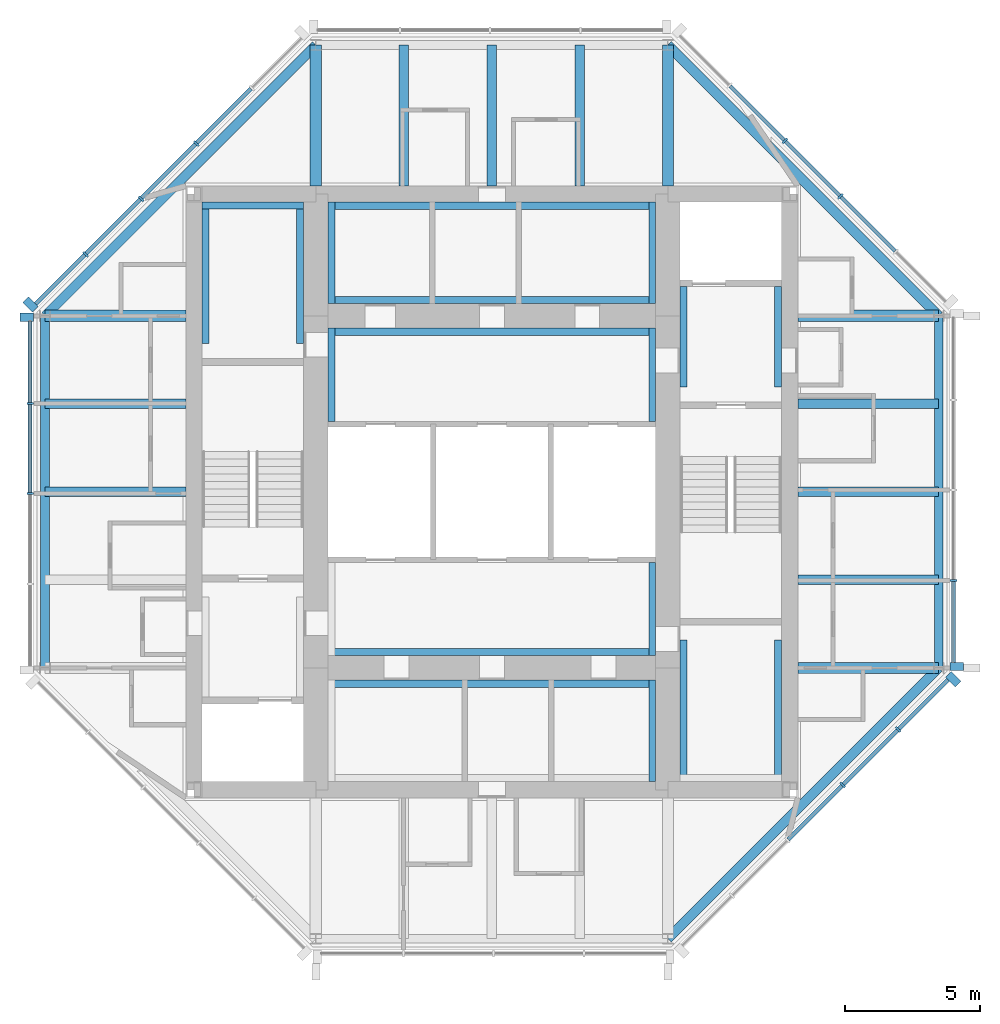
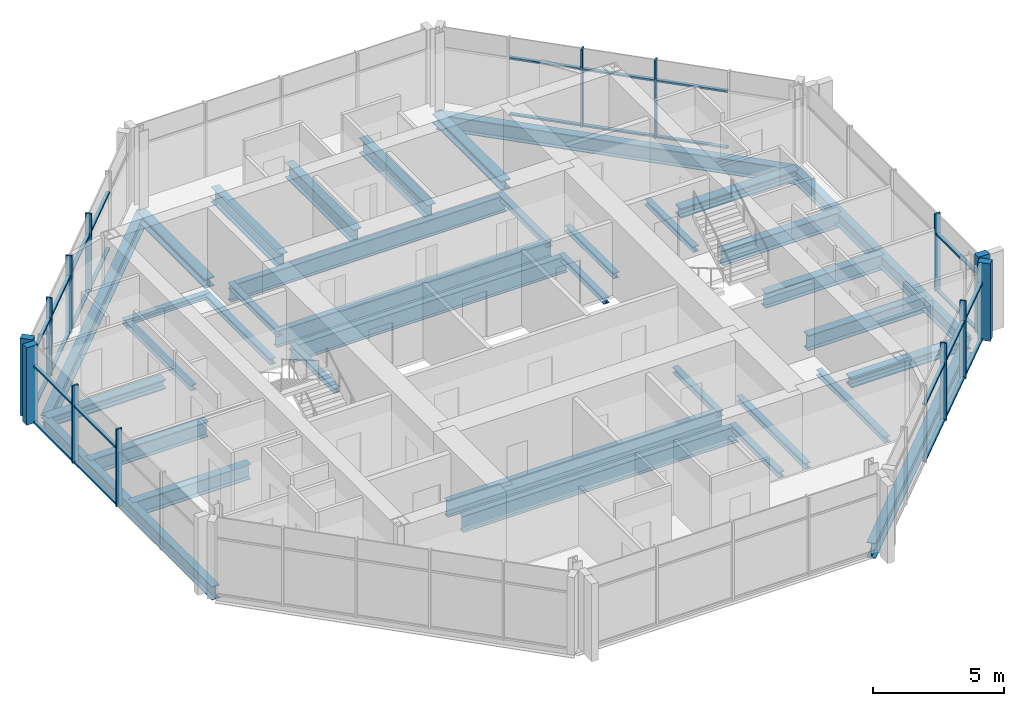
# One storey, part 2 of 9: 40 members, 36 beams, 5 elements without a shape of their own.
"""IFC4 building model written with IfcOpenShell, lengths in metres."""

from ifc_helpers import new_model, si_unit, direction, frame, origin, origin_2d, place, context, subcontext, project, spatial, rectangle, i_section, extrude, material, material_profile, profile_set, type_object, element, aggregate, save


model = new_model("IFC4")

# Units and contexts
model_context = context("Model", 3, precision=1e-05, world=origin(), true_north=direction((0.0, 1.0)))
body_context = subcontext(model_context, "Body", "Model", "MODEL_VIEW")
ifc_project = project(units=[si_unit("LENGTHUNIT", "METRE"), si_unit("AREAUNIT", "SQUARE_METRE"), si_unit("VOLUMEUNIT", "CUBIC_METRE"), si_unit("PLANEANGLEUNIT", "RADIAN"), si_unit("MASSUNIT", "GRAM", prefix="KILO")], contexts=[model_context])

# Site, building, storey
site_placement = place(None, origin())
site = spatial("IfcSite", under=ifc_project, at=site_placement, CompositionType="ELEMENT")
building_placement = place(site_placement, origin())
building = spatial("IfcBuilding", under=site, at=building_placement, Name="Trevanion Tower", CompositionType="ELEMENT")
storey_placement = place(building_placement, frame((0.0, 0.0, 288.39990234375)))
storey = spatial("IfcBuildingStorey", under=building, at=storey_placement, Name="L71", CompositionType="ELEMENT", Elevation=288.39990234375)

# Beams
ifc_material_1 = material(Name="Steel ASTM A992 Grade 50", Category="steel")
ifc_material_profile_1 = material_profile(ifc_material_1, i_section(OverallWidth=0.355712890625, OverallDepth=0.700927734375, WebThickness=0.016845703125, FlangeThickness=0.02734375, at=origin_2d()), Name="W27X161")
ifc_profile_set_1 = profile_set([ifc_material_profile_1], Name="Steel ASTM A992 Grade 50")
beam_type_1 = type_object("IfcBeamType", Name="B15 W27X161", PredefinedType="BEAM", material=ifc_profile_set_1)
for number, where, z_axis, x_axis, name in (
    (1, (11.300048828125, -3.25, -0.540283203125), (1.0, 0.0, 0.0), (0.0, 1.0, 0.0), "B15 L71"),
    (2, (11.300048828125, 0.0, -0.540283203125), (1.0, 0.0, 0.0), (0.0, 1.0, 0.0), "B15 L71"),
    (3, (11.300048828125, 3.25, -0.540283203125), (1.0, 0.0, 0.0), (0.0, 1.0, 0.0), "B15 L71"),
    (4, (3.25, 11.300048828125, -0.540283203125), (0.0, 1.0, 0.0), (-1.0, 0.0, 0.0), "B15 L71"),
    (5, (0.0, 11.300048828125, -0.540283203125), (0.0, 1.0, 0.0), (-1.0, 0.0, 0.0), "B15 L71"),
    (6, (-3.25, 11.300048828125, -0.540283203125), (0.0, 1.0, 0.0), (-1.0, 0.0, 0.0), "B15 L71"),
    (7, (-11.300048828125, 3.25, -0.540283203125), (-1.0, 0.0, 0.0), (0.0, -1.0, 0.0), "B15 L71"),
    (8, (-11.300048828125, 0.0, -0.540283203125), (-1.0, 0.0, 0.0), (0.0, -1.0, 0.0), "B15 L71"),
):
    element("IfcBeam", number, at=place(storey_placement, frame(where, z_axis=z_axis, x_axis=x_axis)), inside=storey, type_object=beam_type_1, Name=name, PredefinedType="BEAM", context=body_context, shape_type="SweptSolid", body=[
        extrude(i_section(OverallWidth=0.355712890625, OverallDepth=0.700927734375, WebThickness=0.016845703125, FlangeThickness=0.02734375, at=origin_2d()), origin(), (0.0, 0.0, 1.0), 5.199951171875),
    ])

# Curtain wall, member
ifc_material_2 = material(Name="Aluminium and glass", Category="aluminium")
curtain_wall_type = type_object("IfcCurtainWallType", Name="CW4 curtain wall", PredefinedType="USERDEFINED", material=ifc_material_2)
curtain_wall_1_placement = place(storey_placement, origin())
curtain_wall_1 = element("IfcCurtainWall", 9, at=curtain_wall_1_placement, inside=storey, type_object=curtain_wall_type, Name="CW4 L71 0", ObjectType="UNITISED CURTAIN WALL", PredefinedType="USERDEFINED")
ifc_material_3 = material(Name="Aluminium extrusion, anodised bronze", Category="aluminium")
ifc_material_profile_2 = material_profile(ifc_material_3, rectangle(XDim=0.074951171875, YDim=0.25, at=origin_2d()), Name="CW4 mullion")
ifc_profile_set_2 = profile_set([ifc_material_profile_2], Name="Aluminium extrusion, anodised bronze")
member_type_1 = type_object("IfcMemberType", Name="CW4 mullion", PredefinedType="MULLION", material=ifc_profile_set_2)
member_1_placement = place(storey_placement, frame((17.050048828125, -3.266357421875, -0.18994140625), z_axis=(0.0, 0.0, 1.0), x_axis=(0.0, 1.0, 0.0)))
member_1 = element("IfcMember", 10, at=member_1_placement, type_object=member_type_1, Name="CW4 mullion 2", PredefinedType="MULLION", context=body_context, shape_type="SweptSolid", body=[
    extrude(rectangle(XDim=0.074951171875, YDim=0.25, at=origin_2d()), origin(), (0.0, 0.0, 1.0), 3.60009765625),
])

# Curtain wall, members
curtain_wall_2_placement = place(storey_placement, origin())
curtain_wall_2 = element("IfcCurtainWall", 11, at=curtain_wall_2_placement, inside=storey, type_object=curtain_wall_type, Name="CW4 L71 1", ObjectType="UNITISED CURTAIN WALL", PredefinedType="USERDEFINED")
member_2_placement = place(storey_placement, frame((12.865966796875, 10.911865234375, -0.18994140625), z_axis=(0.0, 0.0, 1.0), x_axis=(-0.707106781187, 0.707106781187, 0.0)))
member_2 = element("IfcMember", 12, at=member_2_placement, type_object=member_type_1, Name="CW4 mullion 3", PredefinedType="MULLION", context=body_context, shape_type="SweptSolid", body=[
    extrude(rectangle(XDim=0.074951171875, YDim=0.25, at=origin_2d()), origin(), (0.0, 0.0, 1.0), 3.60009765625),
])
member_3_placement = place(storey_placement, frame((10.81982421875, 12.9580078125, -0.18994140625), z_axis=(0.0, 0.0, 1.0), x_axis=(-0.707106781187, 0.707106781187, 0.0)))
member_3 = element("IfcMember", 13, at=member_3_placement, type_object=member_type_1, Name="CW4 mullion 4", PredefinedType="MULLION", context=body_context, shape_type="SweptSolid", body=[
    extrude(rectangle(XDim=0.074951171875, YDim=0.25, at=origin_2d()), origin(), (0.0, 0.0, 1.0), 3.60009765625),
])

curtain_wall_3_placement = place(storey_placement, origin())
curtain_wall_3 = element("IfcCurtainWall", 14, at=curtain_wall_3_placement, inside=storey, type_object=curtain_wall_type, Name="CW4 L71 3", ObjectType="UNITISED CURTAIN WALL", PredefinedType="USERDEFINED")
member_4_placement = place(storey_placement, frame((-10.911865234375, 12.865966796875, -0.18994140625), z_axis=(0.0, 0.0, 1.0), x_axis=(-0.707106781187, -0.707106781187, 0.0)))
member_4 = element("IfcMember", 15, at=member_4_placement, type_object=member_type_1, Name="CW4 mullion 3", PredefinedType="MULLION", context=body_context, shape_type="SweptSolid", body=[
    extrude(rectangle(XDim=0.074951171875, YDim=0.25, at=origin_2d()), origin(), (0.0, 0.0, 1.0), 3.60009765625),
])
member_5_placement = place(storey_placement, frame((-12.9580078125, 10.81982421875, -0.18994140625), z_axis=(0.0, 0.0, 1.0), x_axis=(-0.707106781187, -0.707106781187, 0.0)))
member_5 = element("IfcMember", 16, at=member_5_placement, type_object=member_type_1, Name="CW4 mullion 4", PredefinedType="MULLION", context=body_context, shape_type="SweptSolid", body=[
    extrude(rectangle(XDim=0.074951171875, YDim=0.25, at=origin_2d()), origin(), (0.0, 0.0, 1.0), 3.60009765625),
])
member_6_placement = place(storey_placement, frame((-15.00390625, 8.77392578125, -0.18994140625), z_axis=(0.0, 0.0, 1.0), x_axis=(-0.707106781187, -0.707106781187, 0.0)))
member_6 = element("IfcMember", 17, at=member_6_placement, type_object=member_type_1, Name="CW4 mullion 5", PredefinedType="MULLION", context=body_context, shape_type="SweptSolid", body=[
    extrude(rectangle(XDim=0.074951171875, YDim=0.25, at=origin_2d()), origin(), (0.0, 0.0, 1.0), 3.60009765625),
])

curtain_wall_4_placement = place(storey_placement, origin())
curtain_wall_4 = element("IfcCurtainWall", 18, at=curtain_wall_4_placement, inside=storey, type_object=curtain_wall_type, Name="CW4 L71 4", ObjectType="UNITISED CURTAIN WALL", PredefinedType="USERDEFINED")
member_7_placement = place(storey_placement, frame((-17.050048828125, 3.266357421875, -0.18994140625), z_axis=(0.0, 0.0, 1.0), x_axis=(0.0, -1.0, 0.0)))
member_7 = element("IfcMember", 19, at=member_7_placement, type_object=member_type_1, Name="CW4 mullion 2", PredefinedType="MULLION", context=body_context, shape_type="SweptSolid", body=[
    extrude(rectangle(XDim=0.074951171875, YDim=0.25, at=origin_2d()), origin(), (0.0, 0.0, 1.0), 3.60009765625),
])
member_8_placement = place(storey_placement, frame((-17.050048828125, -0.06494140625, -0.18994140625), z_axis=(0.0, 0.0, 1.0), x_axis=(0.0, -1.0, 0.0)))
member_8 = element("IfcMember", 20, at=member_8_placement, type_object=member_type_1, Name="CW4 mullion 3", PredefinedType="MULLION", context=body_context, shape_type="SweptSolid", body=[
    extrude(rectangle(XDim=0.074951171875, YDim=0.25, at=origin_2d()), origin(), (0.0, 0.0, 1.0), 3.60009765625),
])

curtain_wall_5_placement = place(storey_placement, origin())
curtain_wall_5 = element("IfcCurtainWall", 21, at=curtain_wall_5_placement, inside=storey, type_object=curtain_wall_type, Name="CW4 L71 7", ObjectType="UNITISED CURTAIN WALL", PredefinedType="USERDEFINED")
member_9_placement = place(storey_placement, frame((12.9580078125, -10.81982421875, -0.18994140625), z_axis=(0.0, 0.0, 1.0), x_axis=(0.707106781187, 0.707106781187, 0.0)))
member_9 = element("IfcMember", 22, at=member_9_placement, type_object=member_type_1, Name="CW4 mullion 4", PredefinedType="MULLION", context=body_context, shape_type="SweptSolid", body=[
    extrude(rectangle(XDim=0.074951171875, YDim=0.25, at=origin_2d()), origin(), (0.0, 0.0, 1.0), 3.60009765625),
])
member_10_placement = place(storey_placement, frame((15.00390625, -8.77392578125, -0.18994140625), z_axis=(0.0, 0.0, 1.0), x_axis=(0.707106781187, 0.707106781187, 0.0)))
member_10 = element("IfcMember", 23, at=member_10_placement, type_object=member_type_1, Name="CW4 mullion 5", PredefinedType="MULLION", context=body_context, shape_type="SweptSolid", body=[
    extrude(rectangle(XDim=0.074951171875, YDim=0.25, at=origin_2d()), origin(), (0.0, 0.0, 1.0), 3.60009765625),
])

# Member
ifc_material_4 = material(Name="Aluminium extrusion, anodised bronze", Category="aluminium")
ifc_material_profile_3 = material_profile(ifc_material_4, rectangle(XDim=0.300048828125, YDim=0.5, at=origin_2d()), Name="CW4 pier mullion")
ifc_profile_set_3 = profile_set([ifc_material_profile_3], Name="Aluminium extrusion, anodised bronze")
member_type_2 = type_object("IfcMemberType", Name="CW4 pier mullion", PredefinedType="MULLION", material=ifc_profile_set_3)
member_11_placement = place(storey_placement, frame((17.175048828125, -6.44775390625, -0.18994140625), z_axis=(0.0, 0.0, 1.0), x_axis=(0.0, 1.0, 0.0)))
member_11 = element("IfcMember", 24, at=member_11_placement, type_object=member_type_2, Name="CW4 pier mullion 1", PredefinedType="MULLION", context=body_context, shape_type="SweptSolid", body=[
    extrude(rectangle(XDim=0.300048828125, YDim=0.5, at=origin_2d()), origin(), (0.0, 0.0, 1.0), 3.60009765625),
])

member_12_placement = place(storey_placement, frame((-17.0322265625, 6.92236328125, -0.18994140625), z_axis=(0.0, 0.0, 1.0), x_axis=(-0.707106781187, -0.707106781187, 0.0)))
member_12 = element("IfcMember", 25, at=member_12_placement, type_object=member_type_2, Name="CW4 pier mullion 6", PredefinedType="MULLION", context=body_context, shape_type="SweptSolid", body=[
    extrude(rectangle(XDim=0.300048828125, YDim=0.5, at=origin_2d()), origin(), (0.0, 0.0, 1.0), 3.60009765625),
])

member_13_placement = place(storey_placement, frame((-17.175048828125, 6.44775390625, -0.18994140625), z_axis=(0.0, 0.0, 1.0), x_axis=(0.0, -1.0, 0.0)))
member_13 = element("IfcMember", 26, at=member_13_placement, type_object=member_type_2, Name="CW4 pier mullion 1", PredefinedType="MULLION", context=body_context, shape_type="SweptSolid", body=[
    extrude(rectangle(XDim=0.300048828125, YDim=0.5, at=origin_2d()), origin(), (0.0, 0.0, 1.0), 3.60009765625),
])

member_14_placement = place(storey_placement, frame((17.0322265625, -6.92236328125, -0.18994140625), z_axis=(0.0, 0.0, 1.0), x_axis=(0.707106781187, 0.707106781187, 0.0)))
member_14 = element("IfcMember", 27, at=member_14_placement, type_object=member_type_2, Name="CW4 pier mullion 6", PredefinedType="MULLION", context=body_context, shape_type="SweptSolid", body=[
    extrude(rectangle(XDim=0.300048828125, YDim=0.5, at=origin_2d()), origin(), (0.0, 0.0, 1.0), 3.60009765625),
])

ifc_material_5 = material(Name="Aluminium extrusion, anodised bronze", Category="aluminium")
ifc_material_profile_4 = material_profile(ifc_material_5, rectangle(XDim=0.14990234375, YDim=0.074951171875, at=origin_2d()), Name="CW4 transom")
ifc_profile_set_4 = profile_set([ifc_material_profile_4], Name="Aluminium extrusion, anodised bronze")
member_type_3 = type_object("IfcMemberType", Name="CW4 transom", PredefinedType="USERDEFINED", material=ifc_profile_set_4)
member_15_placement = place(storey_placement, frame((17.050048828125, -6.2978515625, -0.15234375), z_axis=(0.0, 1.0, 0.0), x_axis=(-1.0, 0.0, 0.0)))
member_15 = element("IfcMember", 28, at=member_15_placement, type_object=member_type_3, Name="CW4 transom 1.1", ObjectType="TRANSOM", PredefinedType="USERDEFINED", context=body_context, shape_type="SweptSolid", body=[
    extrude(rectangle(XDim=0.14990234375, YDim=0.074951171875, at=origin_2d()), origin(), (0.0, 0.0, 1.0), 2.993896484375),
])

member_16_placement = place(storey_placement, frame((17.050048828125, -6.2978515625, 2.460205078125), z_axis=(0.0, 1.0, 0.0), x_axis=(-1.0, 0.0, 0.0)))
member_16 = element("IfcMember", 29, at=member_16_placement, type_object=member_type_3, Name="CW4 transom 1.2", ObjectType="TRANSOM", PredefinedType="USERDEFINED", context=body_context, shape_type="SweptSolid", body=[
    extrude(rectangle(XDim=0.14990234375, YDim=0.074951171875, at=origin_2d()), origin(), (0.0, 0.0, 1.0), 2.993896484375),
])

aggregate(curtain_wall_1, [member_11, member_1, member_15, member_16])

member_17_placement = place(storey_placement, frame((14.885498046875, 8.892333984375, -0.15234375), z_axis=(-0.707106781187, 0.707106781187, 0.0), x_axis=(-0.707106781187, -0.707106781187, 0.0)))
member_17 = element("IfcMember", 30, at=member_17_placement, type_object=member_type_3, Name="CW4 transom 2.1", ObjectType="TRANSOM", PredefinedType="USERDEFINED", context=body_context, shape_type="SweptSolid", body=[
    extrude(rectangle(XDim=0.14990234375, YDim=0.074951171875, at=origin_2d()), origin(), (0.0, 0.0, 1.0), 2.818359375),
])

member_18_placement = place(storey_placement, frame((14.885498046875, 8.892333984375, 2.460205078125), z_axis=(-0.707106781187, 0.707106781187, 0.0), x_axis=(-0.707106781187, -0.707106781187, 0.0)))
member_18 = element("IfcMember", 31, at=member_18_placement, type_object=member_type_3, Name="CW4 transom 2.2", ObjectType="TRANSOM", PredefinedType="USERDEFINED", context=body_context, shape_type="SweptSolid", body=[
    extrude(rectangle(XDim=0.14990234375, YDim=0.074951171875, at=origin_2d()), origin(), (0.0, 0.0, 1.0), 2.818359375),
])

member_19_placement = place(storey_placement, frame((12.839599609375, 10.9384765625, -0.15234375), z_axis=(-0.707150088905, 0.707063470815, 0.0), x_axis=(-0.707063470815, -0.707150088905, 0.0)))
member_19 = element("IfcMember", 32, at=member_19_placement, type_object=member_type_3, Name="CW4 transom 3.1", ObjectType="TRANSOM", PredefinedType="USERDEFINED", context=body_context, shape_type="SweptSolid", body=[
    extrude(rectangle(XDim=0.14990234375, YDim=0.074951171875, at=origin_2d()), origin(), (0.0, 0.0, 1.0), 2.818603515625),
])

member_20_placement = place(storey_placement, frame((12.839599609375, 10.9384765625, 2.460205078125), z_axis=(-0.707150088905, 0.707063470815, 0.0), x_axis=(-0.707063470815, -0.707150088905, 0.0)))
member_20 = element("IfcMember", 33, at=member_20_placement, type_object=member_type_3, Name="CW4 transom 3.2", ObjectType="TRANSOM", PredefinedType="USERDEFINED", context=body_context, shape_type="SweptSolid", body=[
    extrude(rectangle(XDim=0.14990234375, YDim=0.074951171875, at=origin_2d()), origin(), (0.0, 0.0, 1.0), 2.818603515625),
])

member_21_placement = place(storey_placement, frame((10.79345703125, 12.984375, -0.15234375), z_axis=(-0.707150088905, 0.707063470815, 0.0), x_axis=(-0.707063470815, -0.707150088905, 0.0)))
member_21 = element("IfcMember", 34, at=member_21_placement, type_object=member_type_3, Name="CW4 transom 4.1", ObjectType="TRANSOM", PredefinedType="USERDEFINED", context=body_context, shape_type="SweptSolid", body=[
    extrude(rectangle(XDim=0.14990234375, YDim=0.074951171875, at=origin_2d()), origin(), (0.0, 0.0, 1.0), 2.818603515625),
])

member_22_placement = place(storey_placement, frame((10.79345703125, 12.984375, 2.460205078125), z_axis=(-0.707150088905, 0.707063470815, 0.0), x_axis=(-0.707063470815, -0.707150088905, 0.0)))
member_22 = element("IfcMember", 35, at=member_22_placement, type_object=member_type_3, Name="CW4 transom 4.2", ObjectType="TRANSOM", PredefinedType="USERDEFINED", context=body_context, shape_type="SweptSolid", body=[
    extrude(rectangle(XDim=0.14990234375, YDim=0.074951171875, at=origin_2d()), origin(), (0.0, 0.0, 1.0), 2.818603515625),
])

aggregate(curtain_wall_2, [member_2, member_3, member_17, member_18, member_19, member_20, member_21, member_22])

member_23_placement = place(storey_placement, frame((-8.892333984375, 14.885498046875, -0.15234375), z_axis=(-0.707106781187, -0.707106781187, 0.0), x_axis=(0.707106781187, -0.707106781187, 0.0)))
member_23 = element("IfcMember", 36, at=member_23_placement, type_object=member_type_3, Name="CW4 transom 2.1", ObjectType="TRANSOM", PredefinedType="USERDEFINED", context=body_context, shape_type="SweptSolid", body=[
    extrude(rectangle(XDim=0.14990234375, YDim=0.074951171875, at=origin_2d()), origin(), (0.0, 0.0, 1.0), 2.818359375),
])

member_24_placement = place(storey_placement, frame((-8.892333984375, 14.885498046875, 2.460205078125), z_axis=(-0.707106781187, -0.707106781187, 0.0), x_axis=(0.707106781187, -0.707106781187, 0.0)))
member_24 = element("IfcMember", 37, at=member_24_placement, type_object=member_type_3, Name="CW4 transom 2.2", ObjectType="TRANSOM", PredefinedType="USERDEFINED", context=body_context, shape_type="SweptSolid", body=[
    extrude(rectangle(XDim=0.14990234375, YDim=0.074951171875, at=origin_2d()), origin(), (0.0, 0.0, 1.0), 2.818359375),
])

member_25_placement = place(storey_placement, frame((-10.9384765625, 12.839599609375, -0.15234375), z_axis=(-0.707063470815, -0.707150088905, 0.0), x_axis=(0.707150088905, -0.707063470815, 0.0)))
member_25 = element("IfcMember", 38, at=member_25_placement, type_object=member_type_3, Name="CW4 transom 3.1", ObjectType="TRANSOM", PredefinedType="USERDEFINED", context=body_context, shape_type="SweptSolid", body=[
    extrude(rectangle(XDim=0.14990234375, YDim=0.074951171875, at=origin_2d()), origin(), (0.0, 0.0, 1.0), 2.818603515625),
])

member_26_placement = place(storey_placement, frame((-10.9384765625, 12.839599609375, 2.460205078125), z_axis=(-0.707063470815, -0.707150088905, 0.0), x_axis=(0.707150088905, -0.707063470815, 0.0)))
member_26 = element("IfcMember", 39, at=member_26_placement, type_object=member_type_3, Name="CW4 transom 3.2", ObjectType="TRANSOM", PredefinedType="USERDEFINED", context=body_context, shape_type="SweptSolid", body=[
    extrude(rectangle(XDim=0.14990234375, YDim=0.074951171875, at=origin_2d()), origin(), (0.0, 0.0, 1.0), 2.818603515625),
])

member_27_placement = place(storey_placement, frame((-12.984375, 10.79345703125, -0.15234375), z_axis=(-0.707063470815, -0.707150088905, 0.0), x_axis=(0.707150088905, -0.707063470815, 0.0)))
member_27 = element("IfcMember", 40, at=member_27_placement, type_object=member_type_3, Name="CW4 transom 4.1", ObjectType="TRANSOM", PredefinedType="USERDEFINED", context=body_context, shape_type="SweptSolid", body=[
    extrude(rectangle(XDim=0.14990234375, YDim=0.074951171875, at=origin_2d()), origin(), (0.0, 0.0, 1.0), 2.818603515625),
])

member_28_placement = place(storey_placement, frame((-12.984375, 10.79345703125, 2.460205078125), z_axis=(-0.707063470815, -0.707150088905, 0.0), x_axis=(0.707150088905, -0.707063470815, 0.0)))
member_28 = element("IfcMember", 41, at=member_28_placement, type_object=member_type_3, Name="CW4 transom 4.2", ObjectType="TRANSOM", PredefinedType="USERDEFINED", context=body_context, shape_type="SweptSolid", body=[
    extrude(rectangle(XDim=0.14990234375, YDim=0.074951171875, at=origin_2d()), origin(), (0.0, 0.0, 1.0), 2.818603515625),
])

member_29_placement = place(storey_placement, frame((-15.030517578125, 8.747314453125, -0.15234375), z_axis=(-0.707106781187, -0.707106781187, 0.0), x_axis=(0.707106781187, -0.707106781187, 0.0)))
member_29 = element("IfcMember", 42, at=member_29_placement, type_object=member_type_3, Name="CW4 transom 5.1", ObjectType="TRANSOM", PredefinedType="USERDEFINED", context=body_context, shape_type="SweptSolid", body=[
    extrude(rectangle(XDim=0.14990234375, YDim=0.074951171875, at=origin_2d()), origin(), (0.0, 0.0, 1.0), 2.555908203125),
])

member_30_placement = place(storey_placement, frame((-15.030517578125, 8.747314453125, 2.460205078125), z_axis=(-0.707106781187, -0.707106781187, 0.0), x_axis=(0.707106781187, -0.707106781187, 0.0)))
member_30 = element("IfcMember", 43, at=member_30_placement, type_object=member_type_3, Name="CW4 transom 5.2", ObjectType="TRANSOM", PredefinedType="USERDEFINED", context=body_context, shape_type="SweptSolid", body=[
    extrude(rectangle(XDim=0.14990234375, YDim=0.074951171875, at=origin_2d()), origin(), (0.0, 0.0, 1.0), 2.555908203125),
])

aggregate(curtain_wall_3, [member_4, member_5, member_6, member_12, member_23, member_24, member_25, member_26, member_27, member_28, member_29, member_30])

member_31_placement = place(storey_placement, frame((-17.050048828125, 6.2978515625, -0.15234375), z_axis=(0.0, -1.0, 0.0), x_axis=(1.0, 0.0, 0.0)))
member_31 = element("IfcMember", 44, at=member_31_placement, type_object=member_type_3, Name="CW4 transom 1.1", ObjectType="TRANSOM", PredefinedType="USERDEFINED", context=body_context, shape_type="SweptSolid", body=[
    extrude(rectangle(XDim=0.14990234375, YDim=0.074951171875, at=origin_2d()), origin(), (0.0, 0.0, 1.0), 2.993896484375),
])

member_32_placement = place(storey_placement, frame((-17.050048828125, 6.2978515625, 2.460205078125), z_axis=(0.0, -1.0, 0.0), x_axis=(1.0, 0.0, 0.0)))
member_32 = element("IfcMember", 45, at=member_32_placement, type_object=member_type_3, Name="CW4 transom 1.2", ObjectType="TRANSOM", PredefinedType="USERDEFINED", context=body_context, shape_type="SweptSolid", body=[
    extrude(rectangle(XDim=0.14990234375, YDim=0.074951171875, at=origin_2d()), origin(), (0.0, 0.0, 1.0), 2.993896484375),
])

member_33_placement = place(storey_placement, frame((-17.050048828125, 3.22900390625, -0.15234375), z_axis=(0.0, -1.0, 0.0), x_axis=(1.0, 0.0, 0.0)))
member_33 = element("IfcMember", 46, at=member_33_placement, type_object=member_type_3, Name="CW4 transom 2.1", ObjectType="TRANSOM", PredefinedType="USERDEFINED", context=body_context, shape_type="SweptSolid", body=[
    extrude(rectangle(XDim=0.14990234375, YDim=0.074951171875, at=origin_2d()), origin(), (0.0, 0.0, 1.0), 3.256591796875),
])

member_34_placement = place(storey_placement, frame((-17.050048828125, 3.22900390625, 2.460205078125), z_axis=(0.0, -1.0, 0.0), x_axis=(1.0, 0.0, 0.0)))
member_34 = element("IfcMember", 47, at=member_34_placement, type_object=member_type_3, Name="CW4 transom 2.2", ObjectType="TRANSOM", PredefinedType="USERDEFINED", context=body_context, shape_type="SweptSolid", body=[
    extrude(rectangle(XDim=0.14990234375, YDim=0.074951171875, at=origin_2d()), origin(), (0.0, 0.0, 1.0), 3.256591796875),
])

aggregate(curtain_wall_4, [member_13, member_7, member_8, member_31, member_32, member_33, member_34])

member_35_placement = place(storey_placement, frame((10.9384765625, -12.839599609375, -0.15234375), z_axis=(0.707063470815, 0.707150088905, 0.0), x_axis=(-0.707150088905, 0.707063470815, 0.0)))
member_35 = element("IfcMember", 48, at=member_35_placement, type_object=member_type_3, Name="CW4 transom 3.1", ObjectType="TRANSOM", PredefinedType="USERDEFINED", context=body_context, shape_type="SweptSolid", body=[
    extrude(rectangle(XDim=0.14990234375, YDim=0.074951171875, at=origin_2d()), origin(), (0.0, 0.0, 1.0), 2.818603515625),
])

member_36_placement = place(storey_placement, frame((10.9384765625, -12.839599609375, 2.460205078125), z_axis=(0.707063470815, 0.707150088905, 0.0), x_axis=(-0.707150088905, 0.707063470815, 0.0)))
member_36 = element("IfcMember", 49, at=member_36_placement, type_object=member_type_3, Name="CW4 transom 3.2", ObjectType="TRANSOM", PredefinedType="USERDEFINED", context=body_context, shape_type="SweptSolid", body=[
    extrude(rectangle(XDim=0.14990234375, YDim=0.074951171875, at=origin_2d()), origin(), (0.0, 0.0, 1.0), 2.818603515625),
])

member_37_placement = place(storey_placement, frame((12.984375, -10.79345703125, -0.15234375), z_axis=(0.707063470815, 0.707150088905, 0.0), x_axis=(-0.707150088905, 0.707063470815, 0.0)))
member_37 = element("IfcMember", 50, at=member_37_placement, type_object=member_type_3, Name="CW4 transom 4.1", ObjectType="TRANSOM", PredefinedType="USERDEFINED", context=body_context, shape_type="SweptSolid", body=[
    extrude(rectangle(XDim=0.14990234375, YDim=0.074951171875, at=origin_2d()), origin(), (0.0, 0.0, 1.0), 2.818603515625),
])

member_38_placement = place(storey_placement, frame((12.984375, -10.79345703125, 2.460205078125), z_axis=(0.707063470815, 0.707150088905, 0.0), x_axis=(-0.707150088905, 0.707063470815, 0.0)))
member_38 = element("IfcMember", 51, at=member_38_placement, type_object=member_type_3, Name="CW4 transom 4.2", ObjectType="TRANSOM", PredefinedType="USERDEFINED", context=body_context, shape_type="SweptSolid", body=[
    extrude(rectangle(XDim=0.14990234375, YDim=0.074951171875, at=origin_2d()), origin(), (0.0, 0.0, 1.0), 2.818603515625),
])

member_39_placement = place(storey_placement, frame((15.030517578125, -8.747314453125, -0.15234375), z_axis=(0.707106781187, 0.707106781187, 0.0), x_axis=(-0.707106781187, 0.707106781187, 0.0)))
member_39 = element("IfcMember", 52, at=member_39_placement, type_object=member_type_3, Name="CW4 transom 5.1", ObjectType="TRANSOM", PredefinedType="USERDEFINED", context=body_context, shape_type="SweptSolid", body=[
    extrude(rectangle(XDim=0.14990234375, YDim=0.074951171875, at=origin_2d()), origin(), (0.0, 0.0, 1.0), 2.555908203125),
])

member_40_placement = place(storey_placement, frame((15.030517578125, -8.747314453125, 2.460205078125), z_axis=(0.707106781187, 0.707106781187, 0.0), x_axis=(-0.707106781187, 0.707106781187, 0.0)))
member_40 = element("IfcMember", 53, at=member_40_placement, type_object=member_type_3, Name="CW4 transom 5.2", ObjectType="TRANSOM", PredefinedType="USERDEFINED", context=body_context, shape_type="SweptSolid", body=[
    extrude(rectangle(XDim=0.14990234375, YDim=0.074951171875, at=origin_2d()), origin(), (0.0, 0.0, 1.0), 2.555908203125),
])

aggregate(curtain_wall_5, [member_9, member_10, member_14, member_35, member_36, member_37, member_38, member_39, member_40])

# Beams
ifc_material_6 = material(Name="Steel ASTM A992 Grade 50", Category="steel")
ifc_material_profile_5 = material_profile(ifc_material_6, i_section(OverallWidth=0.41650390625, OverallDepth=0.444580078125, WebThickness=0.0390625, FlangeThickness=0.062744140625, at=origin_2d()), Name="W14X342")
ifc_profile_set_5 = profile_set([ifc_material_profile_5], Name="Steel ASTM A992 Grade 50")
beam_type_2 = type_object("IfcBeamType", Name="G8 W14X342", PredefinedType="BEAM", material=ifc_profile_set_5)
for number, where, z_axis, x_axis, name in (
    (54, (11.300048828125, -6.5, -0.412109375), (1.0, 0.0, 0.0), (0.0, 1.0, 0.0), "G8 L71"),
    (55, (11.300048828125, 6.5, -0.412109375), (1.0, 0.0, 0.0), (0.0, 1.0, 0.0), "G8 L71"),
    (56, (6.5, 11.300048828125, -0.412109375), (0.0, 1.0, 0.0), (-1.0, 0.0, 0.0), "G8 L71"),
    (57, (-6.5, 11.300048828125, -0.412109375), (0.0, 1.0, 0.0), (-1.0, 0.0, 0.0), "G8 L71"),
    (58, (-11.300048828125, 6.5, -0.412109375), (-1.0, 0.0, 0.0), (0.0, -1.0, 0.0), "G8 L71"),
):
    element("IfcBeam", number, at=place(storey_placement, frame(where, z_axis=z_axis, x_axis=x_axis)), inside=storey, type_object=beam_type_2, Name=name, PredefinedType="BEAM", context=body_context, shape_type="SweptSolid", body=[
        extrude(i_section(OverallWidth=0.41650390625, OverallDepth=0.444580078125, WebThickness=0.0390625, FlangeThickness=0.062744140625, at=origin_2d()), origin(), (0.0, 0.0, 1.0), 5.199951171875),
    ])
ifc_material_7 = material(Name="Steel ASTM A992 Grade 50", Category="steel")
ifc_material_profile_6 = material_profile(ifc_material_7, i_section(OverallWidth=0.256591796875, OverallDepth=0.26416015625, WebThickness=0.011962890625, FlangeThickness=0.01953125, at=origin_2d()), Name="W10X68")
ifc_profile_set_6 = profile_set([ifc_material_profile_6], Name="Steel ASTM A992 Grade 50")
beam_type_3 = type_object("IfcBeamType", Name="LB1 W10X68", PredefinedType="BEAM", material=ifc_profile_set_6)
for number, where, z_axis, x_axis, name in (
    (59, (-5.921630859375, 2.60009765625, -0.33203125), (0.0, 1.0, 0.0), (-1.0, 0.0, 0.0), "LB1 L71"),
    (60, (5.921630859375, 2.60009765625, -0.33203125), (0.0, 1.0, 0.0), (-1.0, 0.0, 0.0), "LB1 L71"),
    (61, (5.921630859375, -6.050048828125, -0.33203125), (0.0, 1.0, 0.0), (-1.0, 0.0, 0.0), "LB1 L71"),
):
    element("IfcBeam", number, at=place(storey_placement, frame(where, z_axis=z_axis, x_axis=x_axis)), inside=storey, type_object=beam_type_3, Name=name, PredefinedType="BEAM", context=body_context, shape_type="SweptSolid", body=[
        extrude(i_section(OverallWidth=0.256591796875, OverallDepth=0.26416015625, WebThickness=0.011962890625, FlangeThickness=0.01953125, at=origin_2d()), origin(), (0.0, 0.0, 1.0), 3.449951171875),
    ])
for number, where, z_axis, x_axis, name in (
    (62, (7.078369140625, 3.875, -0.33203125), (0.0, 1.0, 0.0), (-1.0, 0.0, 0.0), "LB1 L71"),
    (63, (10.57177734375, 3.875, -0.33203125), (0.0, 1.0, 0.0), (-1.0, 0.0, 0.0), "LB1 L71"),
):
    element("IfcBeam", number, at=place(storey_placement, frame(where, z_axis=z_axis, x_axis=x_axis)), inside=storey, type_object=beam_type_3, Name=name, PredefinedType="BEAM", context=body_context, shape_type="SweptSolid", body=[
        extrude(i_section(OverallWidth=0.256591796875, OverallDepth=0.26416015625, WebThickness=0.011962890625, FlangeThickness=0.01953125, at=origin_2d()), origin(), (0.0, 0.0, 1.0), 3.699951171875),
    ])
for number, where, z_axis, x_axis, name in (
    (64, (7.078369140625, -10.699951171875, -0.33203125), (0.0, 1.0, 0.0), (-1.0, 0.0, 0.0), "LB1 L71"),
    (65, (10.57177734375, -10.699951171875, -0.33203125), (0.0, 1.0, 0.0), (-1.0, 0.0, 0.0), "LB1 L71"),
    (66, (-10.57177734375, 5.47509765625, -0.33203125), (0.0, 1.0, 0.0), (-1.0, 0.0, 0.0), "LB1 L71"),
    (67, (-7.078369140625, 5.47509765625, -0.33203125), (0.0, 1.0, 0.0), (-1.0, 0.0, 0.0), "LB1 L71"),
):
    element("IfcBeam", number, at=place(storey_placement, frame(where, z_axis=z_axis, x_axis=x_axis)), inside=storey, type_object=beam_type_3, Name=name, PredefinedType="BEAM", context=body_context, shape_type="SweptSolid", body=[
        extrude(i_section(OverallWidth=0.256591796875, OverallDepth=0.26416015625, WebThickness=0.011962890625, FlangeThickness=0.01953125, at=origin_2d()), origin(), (0.0, 0.0, 1.0), 5.224853515625),
    ])
for number, where, z_axis, x_axis, name in (
    (68, (-10.699951171875, 10.57177734375, -0.33203125), (1.0, 0.0, 0.0), (0.0, 1.0, 0.0), "LB1 L71"),
    (69, (-5.921630859375, 6.949951171875, -0.33203125), (0.0, 1.0, 0.0), (-1.0, 0.0, 0.0), "LB1 L71"),
    (70, (5.921630859375, 6.949951171875, -0.33203125), (0.0, 1.0, 0.0), (-1.0, 0.0, 0.0), "LB1 L71"),
    (71, (5.921630859375, -10.699951171875, -0.33203125), (0.0, 1.0, 0.0), (-1.0, 0.0, 0.0), "LB1 L71"),
):
    element("IfcBeam", number, at=place(storey_placement, frame(where, z_axis=z_axis, x_axis=x_axis)), inside=storey, type_object=beam_type_3, Name=name, PredefinedType="BEAM", context=body_context, shape_type="SweptSolid", body=[
        extrude(i_section(OverallWidth=0.256591796875, OverallDepth=0.26416015625, WebThickness=0.011962890625, FlangeThickness=0.01953125, at=origin_2d()), origin(), (0.0, 0.0, 1.0), 3.75),
    ])
ifc_material_8 = material(Name="Steel ASTM A992 Grade 50", Category="steel")
ifc_material_profile_7 = material_profile(ifc_material_8, i_section(OverallWidth=0.2666015625, OverallDepth=0.76953125, WebThickness=0.015625, FlangeThickness=0.025390625, at=origin_2d()), Name="W30X132")
ifc_profile_set_7 = profile_set([ifc_material_profile_7], Name="Steel ASTM A992 Grade 50")
beam_type_4 = type_object("IfcBeamType", Name="LB3 W30X132", PredefinedType="BEAM", material=ifc_profile_set_7)
for number, where, z_axis, x_axis, name in (
    (72, (-6.050048828125, 5.91650390625, -0.584716796875), (1.0, 0.0, 0.0), (0.0, 1.0, 0.0), "LB3 L71"),
    (73, (-6.050048828125, -5.91650390625, -0.584716796875), (1.0, 0.0, 0.0), (0.0, 1.0, 0.0), "LB3 L71"),
    (74, (-6.050048828125, 7.08349609375, -0.584716796875), (1.0, 0.0, 0.0), (0.0, 1.0, 0.0), "LB3 L71"),
    (75, (-6.050048828125, 10.566650390625, -0.584716796875), (1.0, 0.0, 0.0), (0.0, 1.0, 0.0), "LB3 L71"),
    (76, (-6.050048828125, -7.08349609375, -0.584716796875), (1.0, 0.0, 0.0), (0.0, 1.0, 0.0), "LB3 L71"),
):
    element("IfcBeam", number, at=place(storey_placement, frame(where, z_axis=z_axis, x_axis=x_axis)), inside=storey, type_object=beam_type_4, Name=name, PredefinedType="BEAM", context=body_context, shape_type="SweptSolid", body=[
        extrude(i_section(OverallWidth=0.2666015625, OverallDepth=0.76953125, WebThickness=0.015625, FlangeThickness=0.025390625, at=origin_2d()), origin(), (0.0, 0.0, 1.0), 12.10009765625),
    ])
ifc_material_9 = material(Name="Steel ASTM A992 Grade 50", Category="steel")
ifc_material_profile_8 = material_profile(ifc_material_9, i_section(OverallWidth=0.32763671875, OverallDepth=0.622314453125, WebThickness=0.015380859375, FlangeThickness=0.0244140625, at=origin_2d()), Name="W24X131")
ifc_profile_set_8 = profile_set([ifc_material_profile_8], Name="Steel ASTM A992 Grade 50")
beam_type_5 = type_object("IfcBeamType", Name="SB12 W24X131", PredefinedType="SPANDREL", material=ifc_profile_set_8)
for number, where, z_axis, x_axis, name in (
    (77, (16.5, -6.5, -0.501220703125), (0.0, 1.0, 0.0), (-1.0, 0.0, 0.0), "SB12 L71"),
    (78, (-16.5, 6.5, -0.501220703125), (0.0, -1.0, 0.0), (1.0, 0.0, 0.0), "SB12 L71"),
):
    element("IfcBeam", number, at=place(storey_placement, frame(where, z_axis=z_axis, x_axis=x_axis)), inside=storey, type_object=beam_type_5, Name=name, PredefinedType="SPANDREL", context=body_context, shape_type="SweptSolid", body=[
        extrude(i_section(OverallWidth=0.32763671875, OverallDepth=0.622314453125, WebThickness=0.015380859375, FlangeThickness=0.0244140625, at=origin_2d()), origin(), (0.0, 0.0, 1.0), 13.0),
    ])
ifc_material_10 = material(Name="Steel ASTM A992 Grade 50", Category="steel")
ifc_material_profile_9 = material_profile(ifc_material_10, i_section(OverallWidth=0.358154296875, OverallDepth=0.7060546875, WebThickness=0.018310546875, FlangeThickness=0.0302734375, at=origin_2d()), Name="W27X178")
ifc_profile_set_9 = profile_set([ifc_material_profile_9], Name="Steel ASTM A992 Grade 50")
beam_type_6 = type_object("IfcBeamType", Name="SB13 W27X178", PredefinedType="SPANDREL", material=ifc_profile_set_9)
for number, where, z_axis, x_axis, name in (
    (79, (16.5, 6.5, -0.54296875), (-0.707106781187, 0.707106781187, 0.0), (-0.707106781187, -0.707106781187, 0.0), "SB13 L71"),
    (80, (-6.5, 16.5, -0.54296875), (-0.707106781187, -0.707106781187, 0.0), (0.707106781187, -0.707106781187, 0.0), "SB13 L71"),
    (81, (6.5, -16.5, -0.54296875), (0.707106781187, 0.707106781187, 0.0), (-0.707106781187, 0.707106781187, 0.0), "SB13 L71"),
):
    element("IfcBeam", number, at=place(storey_placement, frame(where, z_axis=z_axis, x_axis=x_axis)), inside=storey, type_object=beam_type_6, Name=name, PredefinedType="SPANDREL", context=body_context, shape_type="SweptSolid", body=[
        extrude(i_section(OverallWidth=0.358154296875, OverallDepth=0.7060546875, WebThickness=0.018310546875, FlangeThickness=0.0302734375, at=origin_2d()), origin(), (0.0, 0.0, 1.0), 14.14208984375),
    ])

save(model, "model.ifc")
